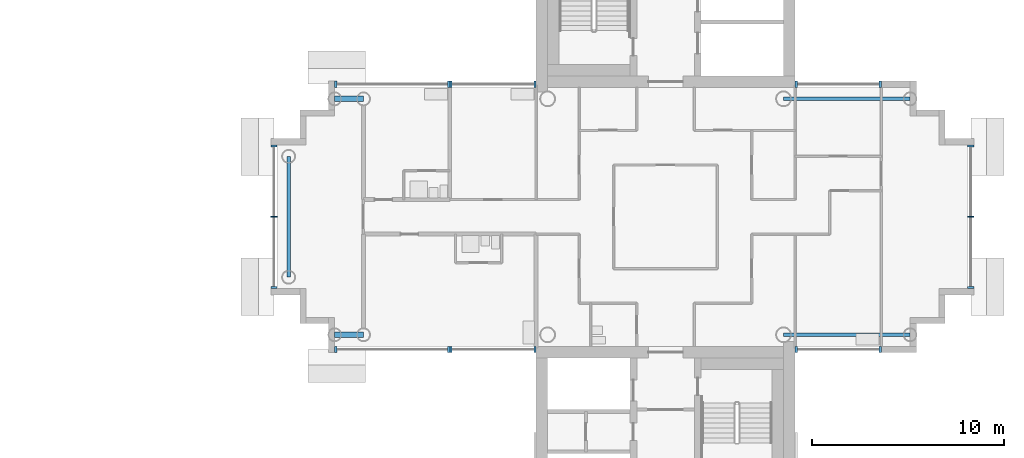
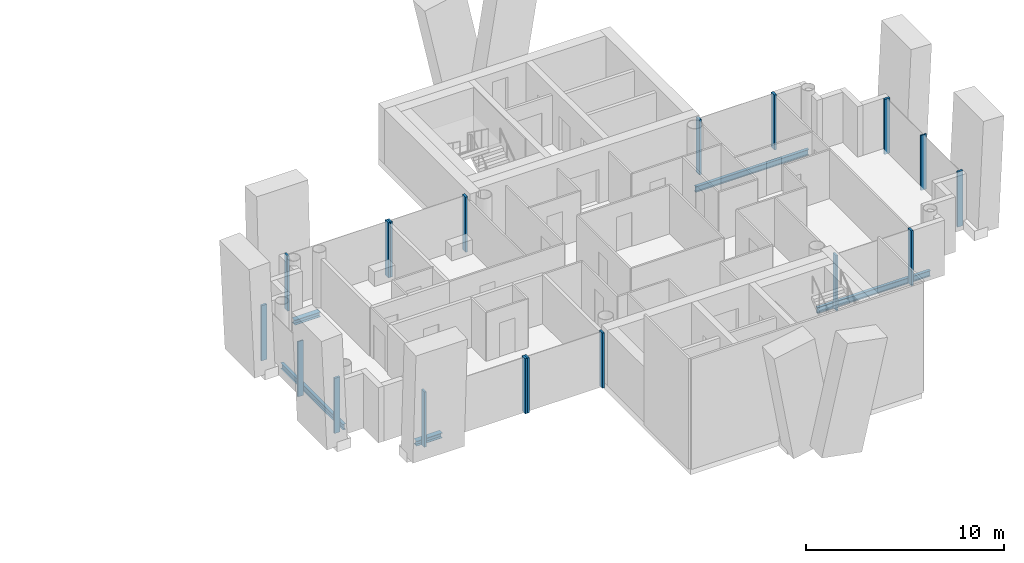
# One storey, part 4 of 18: 18 members, 5 beams, 8 elements without a shape of their own.
"""IFC4 building model written with IfcOpenShell, lengths in metres."""

from ifc_helpers import new_model, si_unit, direction, frame, origin, origin_2d, place, context, subcontext, project, spatial, rectangle, i_section, extrude, material, layer, layer_set, material_profile, profile_set, type_object, element, aggregate, save


model = new_model("IFC4")

# Units and contexts
model_context = context("Model", 3, precision=1e-05, world=origin(), true_north=direction((0.0, 1.0)))
body_context = subcontext(model_context, "Body", "Model", "MODEL_VIEW")
ifc_project = project(units=[si_unit("LENGTHUNIT", "METRE"), si_unit("AREAUNIT", "SQUARE_METRE"), si_unit("VOLUMEUNIT", "CUBIC_METRE"), si_unit("PLANEANGLEUNIT", "RADIAN"), si_unit("MASSUNIT", "GRAM", prefix="KILO")], contexts=[model_context])

# Site, building, storey
site_placement = place(None, origin())
site = spatial("IfcSite", under=ifc_project, at=site_placement, CompositionType="ELEMENT")
building_placement = place(site_placement, origin())
building = spatial("IfcBuilding", under=site, at=building_placement, Name="Ipe Terrace Towers", CompositionType="ELEMENT")
storey_placement = place(building_placement, frame((0.0, 0.0, 209.60009765625)))
storey = spatial("IfcBuildingStorey", under=building, at=storey_placement, Name="L58", CompositionType="ELEMENT", Elevation=209.60009765625)

# Beams
ifc_material_1 = material(Name="Steel S355", Category="steel")
ifc_material_profile_1 = material_profile(ifc_material_1, i_section(OverallWidth=0.300048828125, OverallDepth=0.300048828125, WebThickness=0.010009765625, FlangeThickness=0.014892578125, at=origin_2d()), Name="H-300x300x10x15")
ifc_profile_set_1 = profile_set([ifc_material_profile_1], Name="Steel S355")
beam_type_1 = type_object("IfcBeamType", Name="H03 EDGE BEAM H-300x300x10x15", PredefinedType="BEAM", material=ifc_profile_set_1)
for number, where, z_axis, x_axis, name in (
    (1, (20.25, 6.14990234375, -0.550048828125), (-1.0, 0.0, 0.0), (0.0, -1.0, 0.0), "Edge beam T2-EB-B03-B05"),
    (2, (20.25, -6.14990234375, -0.550048828125), (-1.0, 0.0, 0.0), (0.0, -1.0, 0.0), "Edge beam T2-EB-B04-B06"),
):
    element("IfcBeam", number, at=place(storey_placement, frame(where, z_axis=z_axis, x_axis=x_axis)), inside=storey, type_object=beam_type_1, Name=name, PredefinedType="BEAM", context=body_context, shape_type="SweptSolid", body=[
        extrude(i_section(OverallWidth=0.300048828125, OverallDepth=0.300048828125, WebThickness=0.010009765625, FlangeThickness=0.014892578125, at=origin_2d()), origin(), (0.0, 0.0, 1.0), 1.5),
    ])
ifc_material_2 = material(Name="Steel S355", Category="steel")
ifc_material_profile_2 = material_profile(ifc_material_2, i_section(OverallWidth=0.175048828125, OverallDepth=0.35009765625, WebThickness=0.007080078125, FlangeThickness=0.010986328125, at=origin_2d()), Name="H-350x175x7x11")
ifc_profile_set_2 = profile_set([ifc_material_profile_2], Name="Steel S355")
beam_type_2 = type_object("IfcBeamType", Name="H04 EDGE BEAM H-350x175x7x11", PredefinedType="BEAM", material=ifc_profile_set_2)
beam_placement = place(storey_placement, frame((16.35009765625, 3.14990234375, -0.5751953125), z_axis=(0.0, -1.0, 0.0), x_axis=(1.0, 0.0, 0.0)))
element("IfcBeam", 3, at=beam_placement, inside=storey, type_object=beam_type_2, Name="Edge beam T2-EB-B07-B08", PredefinedType="BEAM", context=body_context, shape_type="SweptSolid", body=[
    extrude(i_section(OverallWidth=0.175048828125, OverallDepth=0.35009765625, WebThickness=0.007080078125, FlangeThickness=0.010986328125, at=origin_2d()), origin(), (0.0, 0.0, 1.0), 6.2998046875),
])
for number, where, z_axis, x_axis, name in (
    (4, (48.75, -6.14990234375, -0.5751953125), (-1.0, 0.0, 0.0), (0.0, -1.0, 0.0), "Edge beam T2-EB-D01-E01"),
    (5, (48.75, 6.14990234375, -0.5751953125), (-1.0, 0.0, 0.0), (0.0, -1.0, 0.0), "Edge beam T2-EB-D02-E02"),
):
    element("IfcBeam", number, at=place(storey_placement, frame(where, z_axis=z_axis, x_axis=x_axis)), inside=storey, type_object=beam_type_2, Name=name, PredefinedType="BEAM", context=body_context, shape_type="SweptSolid", body=[
        extrude(i_section(OverallWidth=0.175048828125, OverallDepth=0.35009765625, WebThickness=0.007080078125, FlangeThickness=0.010986328125, at=origin_2d()), origin(), (0.0, 0.0, 1.0), 6.60009765625),
    ])

# Curtain wall, members
ifc_material_3 = material(Name="Aluminium alloy 6063-T6", Category="aluminium")
ifc_layer = layer(ifc_material_3, 0.320068359375)
ifc_layer_set = layer_set([ifc_layer], Name="TOWER UNITISED CURTAIN WALL")
curtain_wall_type = type_object("IfcCurtainWallType", Name="TOWER UNITISED CURTAIN WALL", PredefinedType="NOTDEFINED", material=ifc_layer_set)
curtain_wall_1_placement = place(storey_placement, origin())
curtain_wall_1 = element("IfcCurtainWall", 6, at=curtain_wall_1_placement, inside=storey, type_object=curtain_wall_type, Name="T2-CW-L58-02a curtain wall", PredefinedType="NOTDEFINED")
ifc_material_4 = material(Name="Aluminium alloy 6063-T6", Category="aluminium")
ifc_material_profile_3 = material_profile(ifc_material_4, rectangle(XDim=0.320068359375, YDim=0.1201171875, at=origin_2d()), Name="TOWER UNITISED CORNER MULLION 320 x 120")
ifc_profile_set_3 = profile_set([ifc_material_profile_3], Name="Aluminium alloy 6063-T6")
member_type_1 = type_object("IfcMemberType", Name="TOWER UNITISED CORNER MULLION 320 x 120", PredefinedType="MULLION", material=ifc_profile_set_3)
member_1_placement = place(storey_placement, frame((42.81005859375, -6.909912109375, -0.300048828125), z_axis=(0.0, 0.0, 1.0), x_axis=(0.0, -1.0, 0.0)))
member_1 = element("IfcMember", 7, at=member_1_placement, type_object=member_type_1, Name="T2-CW-L58-02a mullion 1", PredefinedType="MULLION", context=body_context, shape_type="SweptSolid", body=[
    extrude(rectangle(XDim=0.320068359375, YDim=0.1201171875, at=origin_2d()), origin(), (0.0, 0.0, 1.0), 3.39990234375),
])
member_2_placement = place(storey_placement, frame((47.18994140625, -6.909912109375, -0.300048828125), z_axis=(0.0, 0.0, 1.0), x_axis=(0.0, -1.0, 0.0)))
member_2 = element("IfcMember", 8, at=member_2_placement, type_object=member_type_1, Name="T2-CW-L58-02a mullion 2", PredefinedType="MULLION", context=body_context, shape_type="SweptSolid", body=[
    extrude(rectangle(XDim=0.320068359375, YDim=0.1201171875, at=origin_2d()), origin(), (0.0, 0.0, 1.0), 3.39990234375),
])
aggregate(curtain_wall_1, [member_1, member_2])

curtain_wall_2_placement = place(storey_placement, origin())
curtain_wall_2 = element("IfcCurtainWall", 9, at=curtain_wall_2_placement, inside=storey, type_object=curtain_wall_type, Name="T2-CW-L58-08a curtain wall", PredefinedType="NOTDEFINED")
member_3_placement = place(storey_placement, frame((51.909912109375, -3.68994140625, -0.300048828125), z_axis=(0.0, 0.0, 1.0), x_axis=(1.0, 0.0, 0.0)))
member_3 = element("IfcMember", 10, at=member_3_placement, type_object=member_type_1, Name="T2-CW-L58-08a mullion 1", PredefinedType="MULLION", context=body_context, shape_type="SweptSolid", body=[
    extrude(rectangle(XDim=0.320068359375, YDim=0.1201171875, at=origin_2d()), origin(), (0.0, 0.0, 1.0), 3.39990234375),
])
member_4_placement = place(storey_placement, frame((51.909912109375, 3.68994140625, -0.300048828125), z_axis=(0.0, 0.0, 1.0), x_axis=(1.0, 0.0, 0.0)))
member_4 = element("IfcMember", 11, at=member_4_placement, type_object=member_type_1, Name="T2-CW-L58-08a mullion 3", PredefinedType="MULLION", context=body_context, shape_type="SweptSolid", body=[
    extrude(rectangle(XDim=0.320068359375, YDim=0.1201171875, at=origin_2d()), origin(), (0.0, 0.0, 1.0), 3.39990234375),
])

curtain_wall_3_placement = place(storey_placement, origin())
curtain_wall_3 = element("IfcCurtainWall", 12, at=curtain_wall_3_placement, inside=storey, type_object=curtain_wall_type, Name="T2-CW-L58-14a curtain wall", PredefinedType="NOTDEFINED")
member_5_placement = place(storey_placement, frame((47.18994140625, 6.909912109375, -0.300048828125), z_axis=(0.0, 0.0, 1.0), x_axis=(0.0, 1.0, 0.0)))
member_5 = element("IfcMember", 13, at=member_5_placement, type_object=member_type_1, Name="T2-CW-L58-14a mullion 1", PredefinedType="MULLION", context=body_context, shape_type="SweptSolid", body=[
    extrude(rectangle(XDim=0.320068359375, YDim=0.1201171875, at=origin_2d()), origin(), (0.0, 0.0, 1.0), 3.39990234375),
])
member_6_placement = place(storey_placement, frame((42.81005859375, 6.909912109375, -0.300048828125), z_axis=(0.0, 0.0, 1.0), x_axis=(0.0, 1.0, 0.0)))
member_6 = element("IfcMember", 14, at=member_6_placement, type_object=member_type_1, Name="T2-CW-L58-14a mullion 2", PredefinedType="MULLION", context=body_context, shape_type="SweptSolid", body=[
    extrude(rectangle(XDim=0.320068359375, YDim=0.1201171875, at=origin_2d()), origin(), (0.0, 0.0, 1.0), 3.39990234375),
])
aggregate(curtain_wall_3, [member_5, member_6])

curtain_wall_4_placement = place(storey_placement, origin())
curtain_wall_4 = element("IfcCurtainWall", 15, at=curtain_wall_4_placement, inside=storey, type_object=curtain_wall_type, Name="T2-CW-L58-20a curtain wall", PredefinedType="NOTDEFINED")
member_7_placement = place(storey_placement, frame((29.18994140625, 6.909912109375, -0.300048828125), z_axis=(0.0, 0.0, 1.0), x_axis=(0.0, 1.0, 0.0)))
member_7 = element("IfcMember", 16, at=member_7_placement, type_object=member_type_1, Name="T2-CW-L58-20a mullion 1", PredefinedType="MULLION", context=body_context, shape_type="SweptSolid", body=[
    extrude(rectangle(XDim=0.320068359375, YDim=0.1201171875, at=origin_2d()), origin(), (0.0, 0.0, 1.0), 3.39990234375),
])
member_8_placement = place(storey_placement, frame((24.81005859375, 6.909912109375, -0.300048828125), z_axis=(0.0, 0.0, 1.0), x_axis=(0.0, 1.0, 0.0)))
member_8 = element("IfcMember", 17, at=member_8_placement, type_object=member_type_1, Name="T2-CW-L58-20a mullion 2", PredefinedType="MULLION", context=body_context, shape_type="SweptSolid", body=[
    extrude(rectangle(XDim=0.320068359375, YDim=0.1201171875, at=origin_2d()), origin(), (0.0, 0.0, 1.0), 3.39990234375),
])
aggregate(curtain_wall_4, [member_7, member_8])

curtain_wall_5_placement = place(storey_placement, origin())
curtain_wall_5 = element("IfcCurtainWall", 18, at=curtain_wall_5_placement, inside=storey, type_object=curtain_wall_type, Name="T2-CW-L58-21a curtain wall", PredefinedType="NOTDEFINED")
member_9_placement = place(storey_placement, frame((24.68994140625, 6.909912109375, -0.300048828125), z_axis=(0.0, 0.0, 1.0), x_axis=(0.0, 1.0, 0.0)))
member_9 = element("IfcMember", 19, at=member_9_placement, type_object=member_type_1, Name="T2-CW-L58-21a mullion 1", PredefinedType="MULLION", context=body_context, shape_type="SweptSolid", body=[
    extrude(rectangle(XDim=0.320068359375, YDim=0.1201171875, at=origin_2d()), origin(), (0.0, 0.0, 1.0), 3.39990234375),
])
member_10_placement = place(storey_placement, frame((18.81005859375, 6.909912109375, -0.300048828125), z_axis=(0.0, 0.0, 1.0), x_axis=(0.0, 1.0, 0.0)))
member_10 = element("IfcMember", 20, at=member_10_placement, type_object=member_type_1, Name="T2-CW-L58-21a mullion 2", PredefinedType="MULLION", context=body_context, shape_type="SweptSolid", body=[
    extrude(rectangle(XDim=0.320068359375, YDim=0.1201171875, at=origin_2d()), origin(), (0.0, 0.0, 1.0), 3.39990234375),
])
aggregate(curtain_wall_5, [member_9, member_10])

curtain_wall_6_placement = place(storey_placement, origin())
curtain_wall_6 = element("IfcCurtainWall", 21, at=curtain_wall_6_placement, inside=storey, type_object=curtain_wall_type, Name="T2-CW-L58-26a curtain wall", PredefinedType="NOTDEFINED")
member_11_placement = place(storey_placement, frame((15.590087890625, 3.68994140625, -0.300048828125), z_axis=(0.0, 0.0, 1.0), x_axis=(-1.0, 0.0, 0.0)))
member_11 = element("IfcMember", 22, at=member_11_placement, type_object=member_type_1, Name="T2-CW-L58-26a mullion 1", PredefinedType="MULLION", context=body_context, shape_type="SweptSolid", body=[
    extrude(rectangle(XDim=0.320068359375, YDim=0.1201171875, at=origin_2d()), origin(), (0.0, 0.0, 1.0), 3.39990234375),
])
member_12_placement = place(storey_placement, frame((15.590087890625, -3.68994140625, -0.300048828125), z_axis=(0.0, 0.0, 1.0), x_axis=(-1.0, 0.0, 0.0)))
member_12 = element("IfcMember", 23, at=member_12_placement, type_object=member_type_1, Name="T2-CW-L58-26a mullion 3", PredefinedType="MULLION", context=body_context, shape_type="SweptSolid", body=[
    extrude(rectangle(XDim=0.320068359375, YDim=0.1201171875, at=origin_2d()), origin(), (0.0, 0.0, 1.0), 3.39990234375),
])

curtain_wall_7_placement = place(storey_placement, origin())
curtain_wall_7 = element("IfcCurtainWall", 24, at=curtain_wall_7_placement, inside=storey, type_object=curtain_wall_type, Name="T2-CW-L58-31a curtain wall", PredefinedType="NOTDEFINED")
member_13_placement = place(storey_placement, frame((18.81005859375, -6.909912109375, -0.300048828125), z_axis=(0.0, 0.0, 1.0), x_axis=(0.0, -1.0, 0.0)))
member_13 = element("IfcMember", 25, at=member_13_placement, type_object=member_type_1, Name="T2-CW-L58-31a mullion 1", PredefinedType="MULLION", context=body_context, shape_type="SweptSolid", body=[
    extrude(rectangle(XDim=0.320068359375, YDim=0.1201171875, at=origin_2d()), origin(), (0.0, 0.0, 1.0), 3.39990234375),
])
member_14_placement = place(storey_placement, frame((24.68994140625, -6.909912109375, -0.300048828125), z_axis=(0.0, 0.0, 1.0), x_axis=(0.0, -1.0, 0.0)))
member_14 = element("IfcMember", 26, at=member_14_placement, type_object=member_type_1, Name="T2-CW-L58-31a mullion 2", PredefinedType="MULLION", context=body_context, shape_type="SweptSolid", body=[
    extrude(rectangle(XDim=0.320068359375, YDim=0.1201171875, at=origin_2d()), origin(), (0.0, 0.0, 1.0), 3.39990234375),
])
aggregate(curtain_wall_7, [member_13, member_14])

curtain_wall_8_placement = place(storey_placement, origin())
curtain_wall_8 = element("IfcCurtainWall", 27, at=curtain_wall_8_placement, inside=storey, type_object=curtain_wall_type, Name="T2-CW-L58-32a curtain wall", PredefinedType="NOTDEFINED")
member_15_placement = place(storey_placement, frame((24.81005859375, -6.909912109375, -0.300048828125), z_axis=(0.0, 0.0, 1.0), x_axis=(0.0, -1.0, 0.0)))
member_15 = element("IfcMember", 28, at=member_15_placement, type_object=member_type_1, Name="T2-CW-L58-32a mullion 1", PredefinedType="MULLION", context=body_context, shape_type="SweptSolid", body=[
    extrude(rectangle(XDim=0.320068359375, YDim=0.1201171875, at=origin_2d()), origin(), (0.0, 0.0, 1.0), 3.39990234375),
])
member_16_placement = place(storey_placement, frame((29.18994140625, -6.909912109375, -0.300048828125), z_axis=(0.0, 0.0, 1.0), x_axis=(0.0, -1.0, 0.0)))
member_16 = element("IfcMember", 29, at=member_16_placement, type_object=member_type_1, Name="T2-CW-L58-32a mullion 2", PredefinedType="MULLION", context=body_context, shape_type="SweptSolid", body=[
    extrude(rectangle(XDim=0.320068359375, YDim=0.1201171875, at=origin_2d()), origin(), (0.0, 0.0, 1.0), 3.39990234375),
])
aggregate(curtain_wall_8, [member_15, member_16])

# Member
ifc_material_5 = material(Name="Aluminium alloy 6063-T6", Category="aluminium")
ifc_material_profile_4 = material_profile(ifc_material_5, rectangle(XDim=0.320068359375, YDim=0.06494140625, at=origin_2d()), Name="TOWER UNITISED MULLION 320 x 65")
ifc_profile_set_4 = profile_set([ifc_material_profile_4], Name="Aluminium alloy 6063-T6")
member_type_2 = type_object("IfcMemberType", Name="TOWER UNITISED MULLION 320 x 65", PredefinedType="MULLION", material=ifc_profile_set_4)
member_17_placement = place(storey_placement, frame((51.909912109375, 0.0, -0.300048828125), z_axis=(0.0, 0.0, 1.0), x_axis=(1.0, 0.0, 0.0)))
member_17 = element("IfcMember", 30, at=member_17_placement, type_object=member_type_2, Name="T2-CW-L58-08a mullion 2", PredefinedType="MULLION", context=body_context, shape_type="SweptSolid", body=[
    extrude(rectangle(XDim=0.320068359375, YDim=0.06494140625, at=origin_2d()), origin(), (0.0, 0.0, 1.0), 3.39990234375),
])

aggregate(curtain_wall_2, [member_3, member_17, member_4])

member_18_placement = place(storey_placement, frame((15.590087890625, 0.0, -0.300048828125), z_axis=(0.0, 0.0, 1.0), x_axis=(-1.0, 0.0, 0.0)))
member_18 = element("IfcMember", 31, at=member_18_placement, type_object=member_type_2, Name="T2-CW-L58-26a mullion 2", PredefinedType="MULLION", context=body_context, shape_type="SweptSolid", body=[
    extrude(rectangle(XDim=0.320068359375, YDim=0.06494140625, at=origin_2d()), origin(), (0.0, 0.0, 1.0), 3.39990234375),
])

aggregate(curtain_wall_6, [member_11, member_18, member_12])

save(model, "model.ifc")
